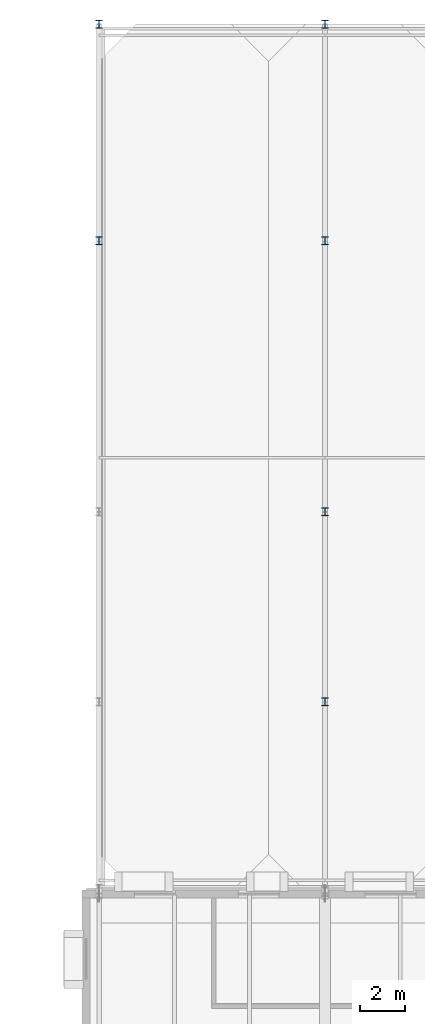
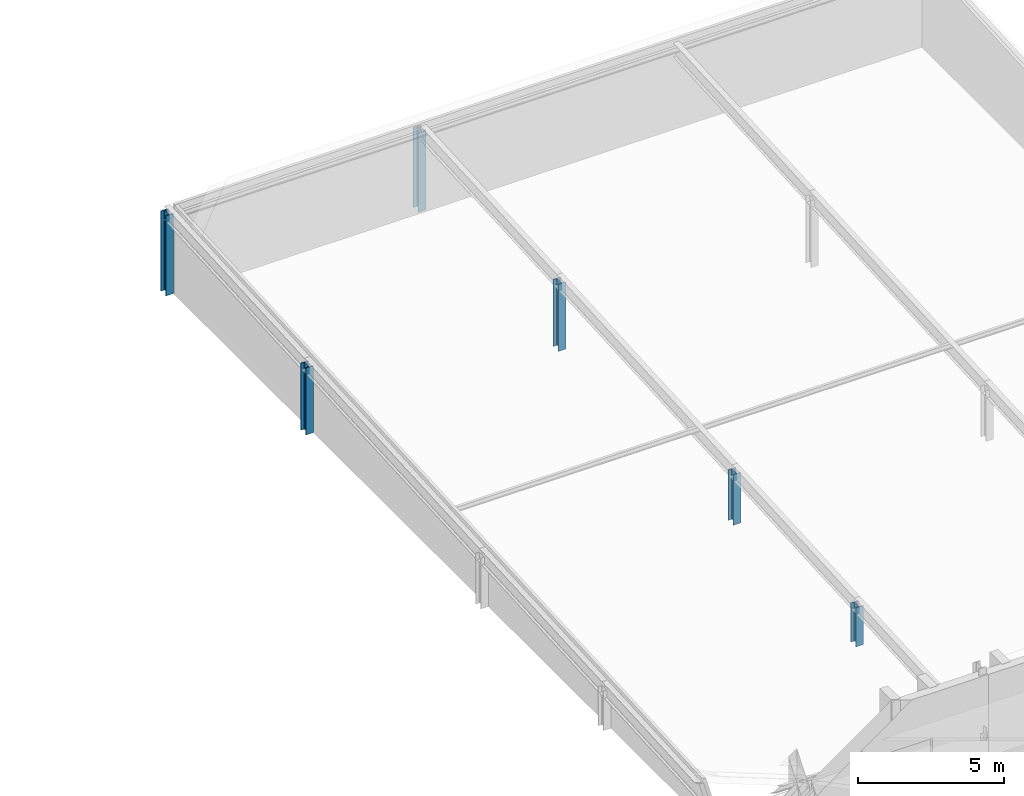
# One storey, part 10 of 57: 6 columns.
"""IFC4 building model written with IfcOpenShell, lengths in metres."""

from ifc_helpers import new_model, si_unit, direction, frame, origin, origin_2d, place, context, subcontext, project, spatial, i_section, extrude, material, material_profile, profile_set, type_object, element, save


model = new_model("IFC4")

# Units and contexts
model_context = context("Model", 3, precision=1e-05, world=origin(), true_north=direction((0.0, 1.0)))
body_context = subcontext(model_context, "Body", "Model", "MODEL_VIEW")
ifc_project = project(units=[si_unit("LENGTHUNIT", "METRE"), si_unit("AREAUNIT", "SQUARE_METRE"), si_unit("VOLUMEUNIT", "CUBIC_METRE"), si_unit("PLANEANGLEUNIT", "RADIAN"), si_unit("MASSUNIT", "GRAM", prefix="KILO")], contexts=[model_context])

# Site, building, storey
site_placement = place(None, origin())
site = spatial("IfcSite", under=ifc_project, at=site_placement, CompositionType="ELEMENT")
building_placement = place(site_placement, origin())
building = spatial("IfcBuilding", under=site, at=building_placement, Name="Zereglee Splitstone Museum", CompositionType="ELEMENT")
storey_placement = place(building_placement, frame((0.0, 0.0, 17.10009765625)))
storey = spatial("IfcBuildingStorey", under=building, at=storey_placement, Name="L03", CompositionType="ELEMENT", Elevation=17.10009765625)

# Columns
ifc_material = material(Name="Steel S355J2", Category="steel")
ifc_material_profile = material_profile(ifc_material, i_section(OverallWidth=0.300048828125, OverallDepth=0.360107421875, WebThickness=0.012451171875, FlangeThickness=0.0224609375, FilletRadius=0.027099609375, at=origin_2d()), Name="HE 360 B")
ifc_profile_set = profile_set([ifc_material_profile], Name="Steel S355J2")
column_type = type_object("IfcColumnType", Name="C-16", PredefinedType="COLUMN", material=ifc_profile_set)
column_1_placement = place(storey_placement, frame((175.199951171875, 50.39990234375, 0.0), z_axis=(0.0, 0.0, 1.0), x_axis=(1.0, 0.0, 0.0)))
element("IfcColumn", 1, at=column_1_placement, inside=storey, type_object=column_type, Name="Roof Support Column RF-V4 (175.2,50.4)", PredefinedType="COLUMN", context=body_context, shape_type="SweptSolid", body=[
    extrude(i_section(OverallWidth=0.300048828125, OverallDepth=0.360107421875, WebThickness=0.012451171875, FlangeThickness=0.0224609375, FilletRadius=0.027099609375, at=origin_2d()), origin(), (0.0, 0.0, 1.0), 2.80908203125),
])
column_2_placement = place(storey_placement, frame((175.199951171875, 60.0, 0.0), z_axis=(0.0, 0.0, 1.0), x_axis=(1.0, 0.0, 0.0)))
element("IfcColumn", 2, at=column_2_placement, inside=storey, type_object=column_type, Name="Roof Support Column RF-V4 (175.2,60.0)", PredefinedType="COLUMN", context=body_context, shape_type="SweptSolid", body=[
    extrude(i_section(OverallWidth=0.300048828125, OverallDepth=0.360107421875, WebThickness=0.012451171875, FlangeThickness=0.0224609375, FilletRadius=0.027099609375, at=origin_2d()), origin(), (0.0, 0.0, 1.0), 3.359130859375),
])
column_3_placement = place(storey_placement, frame((185.199951171875, 30.0, 0.0), z_axis=(0.0, 0.0, 1.0), x_axis=(1.0, 0.0, 0.0)))
element("IfcColumn", 3, at=column_3_placement, inside=storey, type_object=column_type, Name="Roof Support Column RF-V4 (185.2,30.0)", PredefinedType="COLUMN", context=body_context, shape_type="SweptSolid", body=[
    extrude(i_section(OverallWidth=0.300048828125, OverallDepth=0.360107421875, WebThickness=0.012451171875, FlangeThickness=0.0224609375, FilletRadius=0.027099609375, at=origin_2d()), origin(), (0.0, 0.0, 1.0), 1.640380859375),
])
column_4_placement = place(storey_placement, frame((185.199951171875, 38.39990234375, 0.0), z_axis=(0.0, 0.0, 1.0), x_axis=(1.0, 0.0, 0.0)))
element("IfcColumn", 4, at=column_4_placement, inside=storey, type_object=column_type, Name="Roof Support Column RF-V4 (185.2,38.4)", PredefinedType="COLUMN", context=body_context, shape_type="SweptSolid", body=[
    extrude(i_section(OverallWidth=0.300048828125, OverallDepth=0.360107421875, WebThickness=0.012451171875, FlangeThickness=0.0224609375, FilletRadius=0.027099609375, at=origin_2d()), origin(), (0.0, 0.0, 1.0), 2.12158203125),
])
column_5_placement = place(storey_placement, frame((185.199951171875, 50.39990234375, 0.0), z_axis=(0.0, 0.0, 1.0), x_axis=(1.0, 0.0, 0.0)))
element("IfcColumn", 5, at=column_5_placement, inside=storey, type_object=column_type, Name="Roof Support Column RF-V4 (185.2,50.4)", PredefinedType="COLUMN", context=body_context, shape_type="SweptSolid", body=[
    extrude(i_section(OverallWidth=0.300048828125, OverallDepth=0.360107421875, WebThickness=0.012451171875, FlangeThickness=0.0224609375, FilletRadius=0.027099609375, at=origin_2d()), origin(), (0.0, 0.0, 1.0), 2.80908203125),
])
column_6_placement = place(storey_placement, frame((185.199951171875, 60.0, 0.0), z_axis=(0.0, 0.0, 1.0), x_axis=(1.0, 0.0, 0.0)))
element("IfcColumn", 6, at=column_6_placement, inside=storey, type_object=column_type, Name="Roof Support Column RF-V4 (185.2,60.0)", PredefinedType="COLUMN", context=body_context, shape_type="SweptSolid", body=[
    extrude(i_section(OverallWidth=0.300048828125, OverallDepth=0.360107421875, WebThickness=0.012451171875, FlangeThickness=0.0224609375, FilletRadius=0.027099609375, at=origin_2d()), origin(), (0.0, 0.0, 1.0), 3.359130859375),
])

save(model, "model.ifc")
